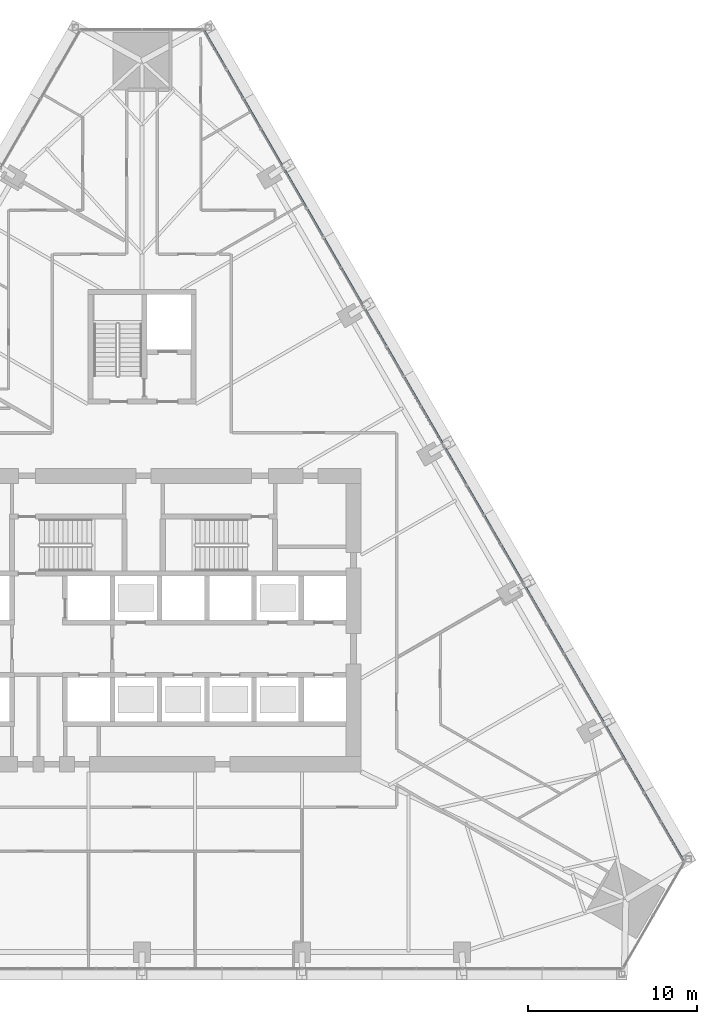
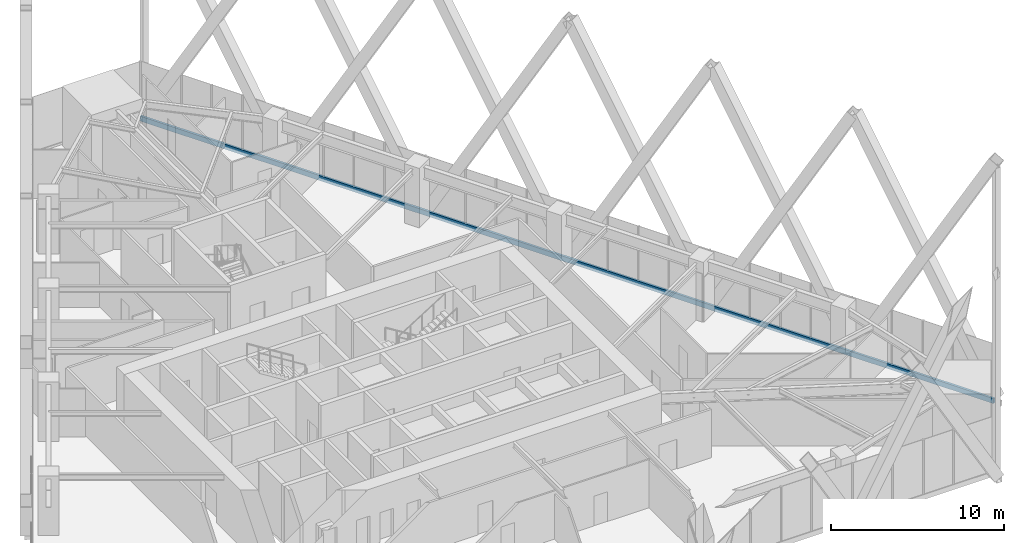
# One storey, part 9 of 21: 1 member, 1 element without a shape of its own.
"""IFC4 building model written with IfcOpenShell, lengths in metres."""

from ifc_helpers import new_model, si_unit, direction, frame, origin, origin_2d, place, context, subcontext, project, spatial, rectangle, extrude, material, layer, layer_set, material_profile, profile_set, type_object, element, aggregate, save


model = new_model("IFC4")

# Units and contexts
model_context = context("Model", 3, precision=1e-05, world=origin(), true_north=direction((0.0, 1.0)))
body_context = subcontext(model_context, "Body", "Model", "MODEL_VIEW")
ifc_project = project(units=[si_unit("LENGTHUNIT", "METRE"), si_unit("AREAUNIT", "SQUARE_METRE"), si_unit("VOLUMEUNIT", "CUBIC_METRE"), si_unit("PLANEANGLEUNIT", "RADIAN"), si_unit("MASSUNIT", "GRAM", prefix="KILO")], contexts=[model_context])

# Site, building, storey
site_placement = place(None, origin())
site = spatial("IfcSite", under=ifc_project, at=site_placement, CompositionType="ELEMENT")
building_placement = place(site_placement, origin())
building = spatial("IfcBuilding", under=site, at=building_placement, Name="Firuza Gate Tower and Library", CompositionType="ELEMENT")
storey_placement = place(building_placement, frame((0.0, 0.0, 73.60009765625)))
storey = spatial("IfcBuildingStorey", under=building, at=storey_placement, Name="L16", CompositionType="ELEMENT", Elevation=73.60009765625)

# Curtain wall, member
ifc_material_1 = material(Name="Aluminium 6063-T6", Category="aluminium")
ifc_layer = layer(ifc_material_1, 0.14990234375)
ifc_layer_set = layer_set([ifc_layer], Name="Unitised curtain wall, offices")
curtain_wall_type = type_object("IfcCurtainWallType", Name="Unitised curtain wall, offices", PredefinedType="NOTDEFINED", material=ifc_layer_set)
curtain_wall_placement = place(storey_placement, origin())
curtain_wall = element("IfcCurtainWall", 1, at=curtain_wall_placement, inside=storey, type_object=curtain_wall_type, Name="CW1 L16 E face", PredefinedType="NOTDEFINED")
ifc_material_2 = material(Name="Aluminium 6063-T6", Category="aluminium")
ifc_material_profile = material_profile(ifc_material_2, rectangle(XDim=0.14990234375, YDim=0.35009765625, at=origin_2d()))
ifc_profile_set = profile_set([ifc_material_profile], Name="Aluminium 6063-T6")
member_type = type_object("IfcMemberType", Name="Curtain wall transom 350x150", PredefinedType="USERDEFINED", material=ifc_profile_set)
member_placement = place(storey_placement, frame((107.142578125, 60.6494140625, -0.025146484375), z_axis=(-0.500000903099, 0.86602488238, 0.0), x_axis=(-0.86602488238, -0.500000903099, 0.0)))
member = element("IfcMember", 2, at=member_placement, type_object=member_type, Name="Transom", ObjectType="TRANSOM", PredefinedType="USERDEFINED", context=body_context, shape_type="SweptSolid", body=[
    extrude(rectangle(XDim=0.14990234375, YDim=0.35009765625, at=origin_2d()), origin(), (0.0, 0.0, 1.0), 56.99853515625),
])
aggregate(curtain_wall, [member])

save(model, "model.ifc")
